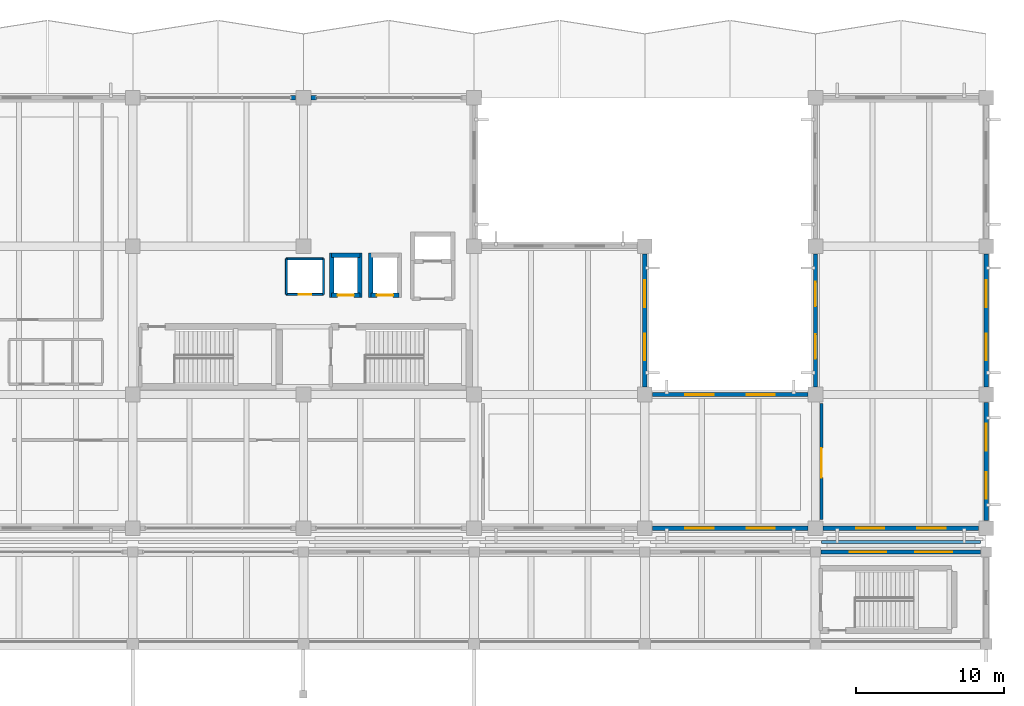
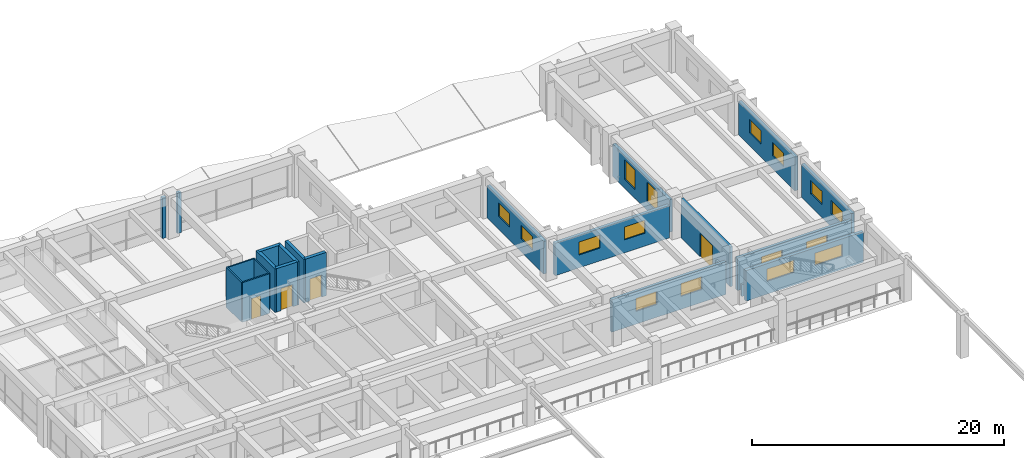
# One storey, part 80 of 98: 22 walls, 16 windows, 4 doors, 20 openings.
"""IFC4 building model written with IfcOpenShell, lengths in metres."""

from ifc_helpers import new_model, si_unit, direction, frame, frame_2d, origin, place, context, subcontext, project, spatial, rectangle, extrude, material, layer, layer_set, type_object, element, fill, save


model = new_model("IFC4")

# Units and contexts
model_context = context("Model", 3, precision=1e-05, world=origin(), true_north=direction((0.0, 1.0)))
body_context = subcontext(model_context, "Body", "Model", "MODEL_VIEW")
ifc_project = project(units=[si_unit("LENGTHUNIT", "METRE"), si_unit("AREAUNIT", "SQUARE_METRE"), si_unit("VOLUMEUNIT", "CUBIC_METRE"), si_unit("PLANEANGLEUNIT", "RADIAN"), si_unit("MASSUNIT", "GRAM", prefix="KILO")], contexts=[model_context])

# Site, building, storey
site_placement = place(None, origin())
site = spatial("IfcSite", under=ifc_project, at=site_placement, CompositionType="ELEMENT")
building_placement = place(site_placement, origin())
building = spatial("IfcBuilding", under=site, at=building_placement, Name="Ologun Quay Terminus", CompositionType="ELEMENT")
storey_placement = place(building_placement, frame((0.0, 0.0, 4.199951171875)))
storey = spatial("IfcBuildingStorey", under=building, at=storey_placement, Name="L01", CompositionType="ELEMENT", Elevation=4.199951171875)

# Wall, openings, windows
ifc_material_1 = material(Name="Concrete C40/50", Category="concrete")
ifc_layer_1 = layer(ifc_material_1, 0.280029296875)
ifc_layer_set_1 = layer_set([ifc_layer_1], Name="Concrete C40/50")
wall_type_1 = type_object("IfcWallType", Name="Courtyard Wing Spandrel Concrete Wall 280", PredefinedType="SOLIDWALL", material=ifc_layer_set_1)
wall_1_placement = place(storey_placement, frame((172.8701171875, 84.199951171875, 0.0), z_axis=(0.0, 0.0, 1.0), x_axis=(1.0, 0.0, 0.0)))
wall_1 = element("IfcWall", 1, at=wall_1_placement, inside=storey, type_object=wall_type_1, Name="EW-02 Facade Wall WEW-NGW-L01-16", PredefinedType="SOLIDWALL", context=body_context, shape_type="SweptSolid", body=[
    extrude(rectangle(XDim=10.759765625, YDim=0.280029296875, at=frame_2d((5.3798828125, 0.0))), origin(), (0.0, 0.0, 1.0), 2.949951171875),
])
opening_1_placement = place(wall_1_placement, frame((1.933349609375, 0.0, 1.25)))
opening_1 = element("IfcOpeningElement", 2, at=opening_1_placement, cuts=wall_1, Name="Opening WN-128", PredefinedType="OPENING", context=body_context, shape_type="SweptSolid", body=[
    extrude(rectangle(XDim=2.47998046875, YDim=1.179931640625, at=frame_2d((1.239990234375, 0.58984375))), frame((0.0, 0.14990234375, 0.0), z_axis=(0.0, -1.0, 0.0), x_axis=(1.0, 0.0, 0.0)), (0.0, 0.0, 1.0), 0.300048828125),
])
opening_2_placement = place(wall_1_placement, frame((6.3466796875, 0.0, 1.25)))
opening_2 = element("IfcOpeningElement", 3, at=opening_2_placement, cuts=wall_1, Name="Opening WN-129", PredefinedType="OPENING", context=body_context, shape_type="SweptSolid", body=[
    extrude(rectangle(XDim=2.47998046875, YDim=1.179931640625, at=frame_2d((1.239990234375, 0.58984375))), frame((0.0, 0.14990234375, 0.0), z_axis=(0.0, -1.0, 0.0), x_axis=(1.0, 0.0, 0.0)), (0.0, 0.0, 1.0), 0.300048828125),
])
ifc_material_2 = material(Name="Glass", Category="glass")
window_type_1 = type_object("IfcWindowType", Name="Gallery Clerestory Light 2480x1180", PartitioningType="SINGLE_PANEL", PredefinedType="LIGHTDOME", material=ifc_material_2)
window_1_placement = place(opening_1_placement, origin())
window_1 = element("IfcWindow", 4, at=window_1_placement, inside=storey, type_object=window_type_1, Name="W-44 Window WN-128", OverallHeight=1.179931640625, OverallWidth=2.47998046875, PartitioningType="SINGLE_PANEL", PredefinedType="LIGHTDOME", context=body_context, shape_type="SweptSolid", body=[
    extrude(rectangle(XDim=2.47998046875, YDim=1.179931640625, at=frame_2d((1.239990234375, 0.58984375))), frame((0.0, 0.030029296875, 0.0), z_axis=(0.0, -1.0, 0.0), x_axis=(1.0, 0.0, 0.0)), (0.0, 0.0, 1.0), 0.06005859375),
])
fill(opening_1, window_1)
window_2_placement = place(opening_2_placement, origin())
window_2 = element("IfcWindow", 5, at=window_2_placement, inside=storey, type_object=window_type_1, Name="W-44 Window WN-129", OverallHeight=1.179931640625, OverallWidth=2.47998046875, PartitioningType="SINGLE_PANEL", PredefinedType="LIGHTDOME", context=body_context, shape_type="SweptSolid", body=[
    extrude(rectangle(XDim=2.47998046875, YDim=1.179931640625, at=frame_2d((1.239990234375, 0.58984375))), frame((0.0, 0.030029296875, 0.0), z_axis=(0.0, -1.0, 0.0), x_axis=(1.0, 0.0, 0.0)), (0.0, 0.0, 1.0), 0.06005859375),
])
fill(opening_2, window_2)

wall_2_placement = place(storey_placement, frame((161.52001953125, 85.800048828125, 0.0), z_axis=(0.0, 0.0, 1.0), x_axis=(1.0, 0.0, 0.0)))
wall_2 = element("IfcWall", 6, at=wall_2_placement, inside=storey, type_object=wall_type_1, Name="EW-02 Facade Wall WEW-EW-L01-5", PredefinedType="SOLIDWALL", context=body_context, shape_type="SweptSolid", body=[
    extrude(rectangle(XDim=10.4599609375, YDim=0.280029296875, at=frame_2d((5.22998046875, 0.0))), origin(), (0.0, 0.0, 1.0), 3.150146484375),
])
opening_3_placement = place(wall_2_placement, frame((2.219970703125, 0.0, 1.25)))
opening_3 = element("IfcOpeningElement", 7, at=opening_3_placement, cuts=wall_2, Name="Opening WN-360", PredefinedType="OPENING", context=body_context, shape_type="SweptSolid", body=[
    extrude(rectangle(XDim=1.89990234375, YDim=1.25, at=frame_2d((0.949951171875, 0.625))), frame((0.0, 0.14990234375, 0.0), z_axis=(0.0, -1.0, 0.0), x_axis=(1.0, 0.0, 0.0)), (0.0, 0.0, 1.0), 0.300048828125),
])
opening_4_placement = place(wall_2_placement, frame((6.340087890625, 0.0, 1.25)))
opening_4 = element("IfcOpeningElement", 8, at=opening_4_placement, cuts=wall_2, Name="Opening WN-361", PredefinedType="OPENING", context=body_context, shape_type="SweptSolid", body=[
    extrude(rectangle(XDim=1.89990234375, YDim=1.25, at=frame_2d((0.949951171875, 0.625))), frame((0.0, 0.14990234375, 0.0), z_axis=(0.0, -1.0, 0.0), x_axis=(1.0, 0.0, 0.0)), (0.0, 0.0, 1.0), 0.300048828125),
])
ifc_material_3 = material(Name="Glass", Category="glass")
window_type_2 = type_object("IfcWindowType", Name="Signalling Equipment High Window 1900x1250", PartitioningType="SINGLE_PANEL", PredefinedType="WINDOW", material=ifc_material_3)
window_3_placement = place(opening_3_placement, origin())
window_3 = element("IfcWindow", 9, at=window_3_placement, inside=storey, type_object=window_type_2, Name="W-18 Window WN-360", OverallHeight=1.25, OverallWidth=1.89990234375, PartitioningType="SINGLE_PANEL", PredefinedType="WINDOW", context=body_context, shape_type="SweptSolid", body=[
    extrude(rectangle(XDim=1.89990234375, YDim=1.25, at=frame_2d((0.949951171875, 0.625))), frame((0.0, 0.030029296875, 0.0), z_axis=(0.0, -1.0, 0.0), x_axis=(1.0, 0.0, 0.0)), (0.0, 0.0, 1.0), 0.06005859375),
])
fill(opening_3, window_3)
window_4_placement = place(opening_4_placement, origin())
window_4 = element("IfcWindow", 10, at=window_4_placement, inside=storey, type_object=window_type_2, Name="W-18 Window WN-361", OverallHeight=1.25, OverallWidth=1.89990234375, PartitioningType="SINGLE_PANEL", PredefinedType="WINDOW", context=body_context, shape_type="SweptSolid", body=[
    extrude(rectangle(XDim=1.89990234375, YDim=1.25, at=frame_2d((0.949951171875, 0.625))), frame((0.0, 0.030029296875, 0.0), z_axis=(0.0, -1.0, 0.0), x_axis=(1.0, 0.0, 0.0)), (0.0, 0.0, 1.0), 0.06005859375),
])
fill(opening_4, window_4)

wall_3_placement = place(storey_placement, frame((173.02001953125, 85.800048828125, 0.0), z_axis=(0.0, 0.0, 1.0), x_axis=(1.0, 0.0, 0.0)))
wall_3 = element("IfcWall", 11, at=wall_3_placement, inside=storey, type_object=wall_type_1, Name="EW-02 Facade Wall WEW-EW-L01-6", PredefinedType="SOLIDWALL", context=body_context, shape_type="SweptSolid", body=[
    extrude(rectangle(XDim=10.4599609375, YDim=0.280029296875, at=frame_2d((5.22998046875, 0.0))), origin(), (0.0, 0.0, 1.0), 3.150146484375),
])
opening_5_placement = place(wall_3_placement, frame((2.219970703125, 0.0, 1.25)))
opening_5 = element("IfcOpeningElement", 12, at=opening_5_placement, cuts=wall_3, Name="Opening WN-362", PredefinedType="OPENING", context=body_context, shape_type="SweptSolid", body=[
    extrude(rectangle(XDim=1.89990234375, YDim=1.25, at=frame_2d((0.949951171875, 0.625))), frame((0.0, 0.14990234375, 0.0), z_axis=(0.0, -1.0, 0.0), x_axis=(1.0, 0.0, 0.0)), (0.0, 0.0, 1.0), 0.300048828125),
])
opening_6_placement = place(wall_3_placement, frame((6.340087890625, 0.0, 1.25)))
opening_6 = element("IfcOpeningElement", 13, at=opening_6_placement, cuts=wall_3, Name="Opening WN-363", PredefinedType="OPENING", context=body_context, shape_type="SweptSolid", body=[
    extrude(rectangle(XDim=1.89990234375, YDim=1.25, at=frame_2d((0.949951171875, 0.625))), frame((0.0, 0.14990234375, 0.0), z_axis=(0.0, -1.0, 0.0), x_axis=(1.0, 0.0, 0.0)), (0.0, 0.0, 1.0), 0.300048828125),
])
window_5_placement = place(opening_5_placement, origin())
window_5 = element("IfcWindow", 14, at=window_5_placement, inside=storey, type_object=window_type_2, Name="W-18 Window WN-362", OverallHeight=1.25, OverallWidth=1.89990234375, PartitioningType="SINGLE_PANEL", PredefinedType="WINDOW", context=body_context, shape_type="SweptSolid", body=[
    extrude(rectangle(XDim=1.89990234375, YDim=1.25, at=frame_2d((0.949951171875, 0.625))), frame((0.0, 0.030029296875, 0.0), z_axis=(0.0, -1.0, 0.0), x_axis=(1.0, 0.0, 0.0)), (0.0, 0.0, 1.0), 0.06005859375),
])
fill(opening_5, window_5)
window_6_placement = place(opening_6_placement, origin())
window_6 = element("IfcWindow", 15, at=window_6_placement, inside=storey, type_object=window_type_2, Name="W-18 Window WN-363", OverallHeight=1.25, OverallWidth=1.89990234375, PartitioningType="SINGLE_PANEL", PredefinedType="WINDOW", context=body_context, shape_type="SweptSolid", body=[
    extrude(rectangle(XDim=1.89990234375, YDim=1.25, at=frame_2d((0.949951171875, 0.625))), frame((0.0, 0.030029296875, 0.0), z_axis=(0.0, -1.0, 0.0), x_axis=(1.0, 0.0, 0.0)), (0.0, 0.0, 1.0), 0.06005859375),
])
fill(opening_6, window_6)

wall_4_placement = place(storey_placement, frame((184.0, 86.320068359375, 0.0), z_axis=(0.0, 0.0, 1.0), x_axis=(0.0, 1.0, 0.0)))
wall_4 = element("IfcWall", 16, at=wall_4_placement, inside=storey, type_object=wall_type_1, Name="EW-02 Facade Wall WEW-EW-L01-7", PredefinedType="SOLIDWALL", context=body_context, shape_type="SweptSolid", body=[
    extrude(rectangle(XDim=7.9599609375, YDim=0.280029296875, at=frame_2d((3.97998046875, 0.0))), origin(), (0.0, 0.0, 1.0), 3.25),
])
opening_7_placement = place(wall_4_placement, frame((1.453369140625, 0.0, 1.25)))
opening_7 = element("IfcOpeningElement", 17, at=opening_7_placement, cuts=wall_4, Name="Opening WN-364", PredefinedType="OPENING", context=body_context, shape_type="SweptSolid", body=[
    extrude(rectangle(XDim=1.800048828125, YDim=1.300048828125, at=frame_2d((0.89990234375, 0.64990234375))), frame((0.0, 0.14990234375, 0.0), z_axis=(0.0, -1.0, 0.0), x_axis=(1.0, 0.0, 0.0)), (0.0, 0.0, 1.0), 0.300048828125),
])
opening_8_placement = place(wall_4_placement, frame((4.706787109375, 0.0, 1.25)))
opening_8 = element("IfcOpeningElement", 18, at=opening_8_placement, cuts=wall_4, Name="Opening WN-365", PredefinedType="OPENING", context=body_context, shape_type="SweptSolid", body=[
    extrude(rectangle(XDim=1.800048828125, YDim=1.300048828125, at=frame_2d((0.89990234375, 0.64990234375))), frame((0.0, 0.14990234375, 0.0), z_axis=(0.0, -1.0, 0.0), x_axis=(1.0, 0.0, 0.0)), (0.0, 0.0, 1.0), 0.300048828125),
])
ifc_material_4 = material(Name="Glass", Category="glass")
window_type_3 = type_object("IfcWindowType", Name="Plant Louvred Acoustic Window 1800x1300", PartitioningType="SINGLE_PANEL", PredefinedType="WINDOW", material=ifc_material_4)
window_7_placement = place(opening_7_placement, origin())
window_7 = element("IfcWindow", 19, at=window_7_placement, inside=storey, type_object=window_type_3, Name="W-38 Window WN-364", OverallHeight=1.300048828125, OverallWidth=1.800048828125, PartitioningType="SINGLE_PANEL", PredefinedType="WINDOW", context=body_context, shape_type="SweptSolid", body=[
    extrude(rectangle(XDim=1.800048828125, YDim=1.300048828125, at=frame_2d((0.89990234375, 0.64990234375))), frame((0.0, 0.030029296875, 0.0), z_axis=(0.0, -1.0, 0.0), x_axis=(1.0, 0.0, 0.0)), (0.0, 0.0, 1.0), 0.06005859375),
])
fill(opening_7, window_7)
window_8_placement = place(opening_8_placement, origin())
window_8 = element("IfcWindow", 20, at=window_8_placement, inside=storey, type_object=window_type_3, Name="W-38 Window WN-365", OverallHeight=1.300048828125, OverallWidth=1.800048828125, PartitioningType="SINGLE_PANEL", PredefinedType="WINDOW", context=body_context, shape_type="SweptSolid", body=[
    extrude(rectangle(XDim=1.800048828125, YDim=1.300048828125, at=frame_2d((0.89990234375, 0.64990234375))), frame((0.0, 0.030029296875, 0.0), z_axis=(0.0, -1.0, 0.0), x_axis=(1.0, 0.0, 0.0)), (0.0, 0.0, 1.0), 0.06005859375),
])
fill(opening_8, window_8)

wall_5_placement = place(storey_placement, frame((184.0, 95.320068359375, 0.0), z_axis=(0.0, 0.0, 1.0), x_axis=(0.0, 1.0, 0.0)))
wall_5 = element("IfcWall", 21, at=wall_5_placement, inside=storey, type_object=wall_type_1, Name="EW-02 Facade Wall WEW-EW-L01-8", PredefinedType="SOLIDWALL", context=body_context, shape_type="SweptSolid", body=[
    extrude(rectangle(XDim=8.9599609375, YDim=0.280029296875, at=frame_2d((4.47998046875, 0.0))), origin(), (0.0, 0.0, 1.0), 3.25),
])
opening_9_placement = place(wall_5_placement, frame((1.78662109375, 0.0, 1.25)))
opening_9 = element("IfcOpeningElement", 22, at=opening_9_placement, cuts=wall_5, Name="Opening WN-366", PredefinedType="OPENING", context=body_context, shape_type="SweptSolid", body=[
    extrude(rectangle(XDim=1.800048828125, YDim=1.300048828125, at=frame_2d((0.89990234375, 0.64990234375))), frame((0.0, 0.14990234375, 0.0), z_axis=(0.0, -1.0, 0.0), x_axis=(1.0, 0.0, 0.0)), (0.0, 0.0, 1.0), 0.300048828125),
])
opening_10_placement = place(wall_5_placement, frame((5.373291015625, 0.0, 1.25)))
opening_10 = element("IfcOpeningElement", 23, at=opening_10_placement, cuts=wall_5, Name="Opening WN-367", PredefinedType="OPENING", context=body_context, shape_type="SweptSolid", body=[
    extrude(rectangle(XDim=1.800048828125, YDim=1.300048828125, at=frame_2d((0.89990234375, 0.64990234375))), frame((0.0, 0.14990234375, 0.0), z_axis=(0.0, -1.0, 0.0), x_axis=(1.0, 0.0, 0.0)), (0.0, 0.0, 1.0), 0.300048828125),
])
window_9_placement = place(opening_9_placement, origin())
window_9 = element("IfcWindow", 24, at=window_9_placement, inside=storey, type_object=window_type_3, Name="W-38 Window WN-366", OverallHeight=1.300048828125, OverallWidth=1.800048828125, PartitioningType="SINGLE_PANEL", PredefinedType="WINDOW", context=body_context, shape_type="SweptSolid", body=[
    extrude(rectangle(XDim=1.800048828125, YDim=1.300048828125, at=frame_2d((0.89990234375, 0.64990234375))), frame((0.0, 0.030029296875, 0.0), z_axis=(0.0, -1.0, 0.0), x_axis=(1.0, 0.0, 0.0)), (0.0, 0.0, 1.0), 0.06005859375),
])
fill(opening_9, window_9)
window_10_placement = place(opening_10_placement, origin())
window_10 = element("IfcWindow", 25, at=window_10_placement, inside=storey, type_object=window_type_3, Name="W-38 Window WN-367", OverallHeight=1.300048828125, OverallWidth=1.800048828125, PartitioningType="SINGLE_PANEL", PredefinedType="WINDOW", context=body_context, shape_type="SweptSolid", body=[
    extrude(rectangle(XDim=1.800048828125, YDim=1.300048828125, at=frame_2d((0.89990234375, 0.64990234375))), frame((0.0, 0.030029296875, 0.0), z_axis=(0.0, -1.0, 0.0), x_axis=(1.0, 0.0, 0.0)), (0.0, 0.0, 1.0), 0.06005859375),
])
fill(opening_10, window_10)

wall_6_placement = place(storey_placement, frame((172.5, 95.320068359375, 0.0), z_axis=(0.0, 0.0, 1.0), x_axis=(0.0, 1.0, 0.0)))
wall_6 = element("IfcWall", 26, at=wall_6_placement, inside=storey, type_object=wall_type_1, Name="EW-02 Facade Wall WEW-EW-L01-11", PredefinedType="SOLIDWALL", context=body_context, shape_type="SweptSolid", body=[
    extrude(rectangle(XDim=8.9599609375, YDim=0.280029296875, at=frame_2d((4.47998046875, 0.0))), origin(), (0.0, 0.0, 1.0), 3.150146484375),
])
opening_11_placement = place(wall_6_placement, frame((1.88671875, 0.0, 0.85009765625)))
opening_11 = element("IfcOpeningElement", 27, at=opening_11_placement, cuts=wall_6, Name="Opening WN-372", PredefinedType="OPENING", context=body_context, shape_type="SweptSolid", body=[
    extrude(rectangle(XDim=1.64990234375, YDim=1.89990234375, at=frame_2d((0.824951171875, 0.949951171875))), frame((0.0, 0.14990234375, 0.0), z_axis=(0.0, -1.0, 0.0), x_axis=(1.0, 0.0, 0.0)), (0.0, 0.0, 1.0), 0.300048828125),
])
opening_12_placement = place(wall_6_placement, frame((5.42333984375, 0.0, 0.85009765625)))
opening_12 = element("IfcOpeningElement", 28, at=opening_12_placement, cuts=wall_6, Name="Opening WN-373", PredefinedType="OPENING", context=body_context, shape_type="SweptSolid", body=[
    extrude(rectangle(XDim=1.64990234375, YDim=1.89990234375, at=frame_2d((0.824951171875, 0.949951171875))), frame((0.0, 0.14990234375, 0.0), z_axis=(0.0, -1.0, 0.0), x_axis=(1.0, 0.0, 0.0)), (0.0, 0.0, 1.0), 0.300048828125),
])
ifc_material_5 = material(Name="Glass", Category="glass")
window_type_4 = type_object("IfcWindowType", Name="Operations Admin Solar Window 1650x1900", PartitioningType="SINGLE_PANEL", PredefinedType="WINDOW", material=ifc_material_5)
window_11_placement = place(opening_11_placement, origin())
window_11 = element("IfcWindow", 29, at=window_11_placement, inside=storey, type_object=window_type_4, Name="W-21 Window WN-372", OverallHeight=1.89990234375, OverallWidth=1.64990234375, PartitioningType="SINGLE_PANEL", PredefinedType="WINDOW", context=body_context, shape_type="SweptSolid", body=[
    extrude(rectangle(XDim=1.64990234375, YDim=1.89990234375, at=frame_2d((0.824951171875, 0.949951171875))), frame((0.0, 0.030029296875, 0.0), z_axis=(0.0, -1.0, 0.0), x_axis=(1.0, 0.0, 0.0)), (0.0, 0.0, 1.0), 0.06005859375),
])
fill(opening_11, window_11)
window_12_placement = place(opening_12_placement, origin())
window_12 = element("IfcWindow", 30, at=window_12_placement, inside=storey, type_object=window_type_4, Name="W-21 Window WN-373", OverallHeight=1.89990234375, OverallWidth=1.64990234375, PartitioningType="SINGLE_PANEL", PredefinedType="WINDOW", context=body_context, shape_type="SweptSolid", body=[
    extrude(rectangle(XDim=1.64990234375, YDim=1.89990234375, at=frame_2d((0.824951171875, 0.949951171875))), frame((0.0, 0.030029296875, 0.0), z_axis=(0.0, -1.0, 0.0), x_axis=(1.0, 0.0, 0.0)), (0.0, 0.0, 1.0), 0.06005859375),
])
fill(opening_12, window_12)

wall_7_placement = place(storey_placement, frame((161.52001953125, 94.800048828125, 0.0), z_axis=(0.0, 0.0, 1.0), x_axis=(1.0, 0.0, 0.0)))
wall_7 = element("IfcWall", 31, at=wall_7_placement, inside=storey, type_object=wall_type_1, Name="EW-02 Facade Wall WEW-EW-L01-13", PredefinedType="SOLIDWALL", context=body_context, shape_type="SweptSolid", body=[
    extrude(rectangle(XDim=10.4599609375, YDim=0.280029296875, at=frame_2d((5.22998046875, 0.0))), origin(), (0.0, 0.0, 1.0), 3.150146484375),
])
opening_13_placement = place(wall_7_placement, frame((2.219970703125, 0.0, 1.25)))
opening_13 = element("IfcOpeningElement", 32, at=opening_13_placement, cuts=wall_7, Name="Opening WN-376", PredefinedType="OPENING", context=body_context, shape_type="SweptSolid", body=[
    extrude(rectangle(XDim=1.89990234375, YDim=1.25, at=frame_2d((0.949951171875, 0.625))), frame((0.0, 0.14990234375, 0.0), z_axis=(0.0, -1.0, 0.0), x_axis=(1.0, 0.0, 0.0)), (0.0, 0.0, 1.0), 0.300048828125),
])
opening_14_placement = place(wall_7_placement, frame((6.340087890625, 0.0, 1.25)))
opening_14 = element("IfcOpeningElement", 33, at=opening_14_placement, cuts=wall_7, Name="Opening WN-377", PredefinedType="OPENING", context=body_context, shape_type="SweptSolid", body=[
    extrude(rectangle(XDim=1.89990234375, YDim=1.25, at=frame_2d((0.949951171875, 0.625))), frame((0.0, 0.14990234375, 0.0), z_axis=(0.0, -1.0, 0.0), x_axis=(1.0, 0.0, 0.0)), (0.0, 0.0, 1.0), 0.300048828125),
])
window_13_placement = place(opening_13_placement, origin())
window_13 = element("IfcWindow", 34, at=window_13_placement, inside=storey, type_object=window_type_2, Name="W-18 Window WN-376", OverallHeight=1.25, OverallWidth=1.89990234375, PartitioningType="SINGLE_PANEL", PredefinedType="WINDOW", context=body_context, shape_type="SweptSolid", body=[
    extrude(rectangle(XDim=1.89990234375, YDim=1.25, at=frame_2d((0.949951171875, 0.625))), frame((0.0, 0.030029296875, 0.0), z_axis=(0.0, -1.0, 0.0), x_axis=(1.0, 0.0, 0.0)), (0.0, 0.0, 1.0), 0.06005859375),
])
fill(opening_13, window_13)
window_14_placement = place(opening_14_placement, origin())
window_14 = element("IfcWindow", 35, at=window_14_placement, inside=storey, type_object=window_type_2, Name="W-18 Window WN-377", OverallHeight=1.25, OverallWidth=1.89990234375, PartitioningType="SINGLE_PANEL", PredefinedType="WINDOW", context=body_context, shape_type="SweptSolid", body=[
    extrude(rectangle(XDim=1.89990234375, YDim=1.25, at=frame_2d((0.949951171875, 0.625))), frame((0.0, 0.030029296875, 0.0), z_axis=(0.0, -1.0, 0.0), x_axis=(1.0, 0.0, 0.0)), (0.0, 0.0, 1.0), 0.06005859375),
])
fill(opening_14, window_14)

wall_8_placement = place(storey_placement, frame((161.0, 95.320068359375, 0.0), z_axis=(0.0, 0.0, 1.0), x_axis=(0.0, 1.0, 0.0)))
wall_8 = element("IfcWall", 36, at=wall_8_placement, inside=storey, type_object=wall_type_1, Name="EW-02 Facade Wall WEW-EW-L01-14", PredefinedType="SOLIDWALL", context=body_context, shape_type="SweptSolid", body=[
    extrude(rectangle(XDim=8.9599609375, YDim=0.280029296875, at=frame_2d((4.47998046875, 0.0))), origin(), (0.0, 0.0, 1.0), 3.150146484375),
])
opening_15_placement = place(wall_8_placement, frame((1.78662109375, 0.0, 1.25)))
opening_15 = element("IfcOpeningElement", 37, at=opening_15_placement, cuts=wall_8, Name="Opening WN-378", PredefinedType="OPENING", context=body_context, shape_type="SweptSolid", body=[
    extrude(rectangle(XDim=1.800048828125, YDim=1.300048828125, at=frame_2d((0.89990234375, 0.64990234375))), frame((0.0, 0.14990234375, 0.0), z_axis=(0.0, -1.0, 0.0), x_axis=(1.0, 0.0, 0.0)), (0.0, 0.0, 1.0), 0.300048828125),
])
opening_16_placement = place(wall_8_placement, frame((5.373291015625, 0.0, 1.25)))
opening_16 = element("IfcOpeningElement", 38, at=opening_16_placement, cuts=wall_8, Name="Opening WN-379", PredefinedType="OPENING", context=body_context, shape_type="SweptSolid", body=[
    extrude(rectangle(XDim=1.800048828125, YDim=1.300048828125, at=frame_2d((0.89990234375, 0.64990234375))), frame((0.0, 0.14990234375, 0.0), z_axis=(0.0, -1.0, 0.0), x_axis=(1.0, 0.0, 0.0)), (0.0, 0.0, 1.0), 0.300048828125),
])
window_15_placement = place(opening_15_placement, origin())
window_15 = element("IfcWindow", 39, at=window_15_placement, inside=storey, type_object=window_type_3, Name="W-38 Window WN-378", OverallHeight=1.300048828125, OverallWidth=1.800048828125, PartitioningType="SINGLE_PANEL", PredefinedType="WINDOW", context=body_context, shape_type="SweptSolid", body=[
    extrude(rectangle(XDim=1.800048828125, YDim=1.300048828125, at=frame_2d((0.89990234375, 0.64990234375))), frame((0.0, 0.030029296875, 0.0), z_axis=(0.0, -1.0, 0.0), x_axis=(1.0, 0.0, 0.0)), (0.0, 0.0, 1.0), 0.06005859375),
])
fill(opening_15, window_15)
window_16_placement = place(opening_16_placement, origin())
window_16 = element("IfcWindow", 40, at=window_16_placement, inside=storey, type_object=window_type_3, Name="W-38 Window WN-379", OverallHeight=1.300048828125, OverallWidth=1.800048828125, PartitioningType="SINGLE_PANEL", PredefinedType="WINDOW", context=body_context, shape_type="SweptSolid", body=[
    extrude(rectangle(XDim=1.800048828125, YDim=1.300048828125, at=frame_2d((0.89990234375, 0.64990234375))), frame((0.0, 0.030029296875, 0.0), z_axis=(0.0, -1.0, 0.0), x_axis=(1.0, 0.0, 0.0)), (0.0, 0.0, 1.0), 0.06005859375),
])
fill(opening_16, window_16)

# Walls
for number, where, z_axis, x_axis, name in (
    (41, (137.1298828125, 114.800048828125, 0.0), (0.0, 0.0, 1.0), (1.0, 0.0, 0.0), "Curtain Wall Jamb Pier CW-L01-126-J2"),
    (42, (138.52001953125, 114.800048828125, 0.0), (0.0, 0.0, 1.0), (1.0, 0.0, 0.0), "Curtain Wall Jamb Pier CW-L01-127-J1"),
):
    element("IfcWall", number, at=place(storey_placement, frame(where, z_axis=z_axis, x_axis=x_axis)), inside=storey, type_object=wall_type_1, Name=name, PredefinedType="SOLIDWALL", context=body_context, shape_type="SweptSolid", body=[
        extrude(rectangle(XDim=0.35009765625, YDim=0.280029296875, at=frame_2d((0.175048828125, 0.0))), origin(), (0.0, 0.0, 1.0), 3.929931640625),
    ])

# Wall, opening, door
ifc_material_6 = material(Name="Concrete C40/50", Category="concrete")
ifc_layer_2 = layer(ifc_material_6, 0.300048828125)
ifc_layer_set_2 = layer_set([ifc_layer_2], Name="Concrete C40/50")
wall_type_2 = type_object("IfcWallType", Name="Lift Shaft Structural Shear Wall 300", PredefinedType="SHEAR", material=ifc_layer_set_2)
wall_9_placement = place(storey_placement, frame((139.89990234375, 101.5, 0.0), z_axis=(0.0, 0.0, 1.0), x_axis=(1.0, 0.0, 0.0)))
wall_9 = element("IfcWall", 43, at=wall_9_placement, inside=storey, type_object=wall_type_2, Name="Lift PL-E1 Shaft Wall S L01", PredefinedType="SHEAR", context=body_context, shape_type="SweptSolid", body=[
    extrude(rectangle(XDim=1.900146484375, YDim=0.300048828125, at=frame_2d((0.9501953125, 0.0))), origin(), (0.0, 0.0, 1.0), 4.199951171875),
])
opening_17_placement = place(wall_9_placement, frame((0.39990234375, 0.0, 0.0)))
opening_17 = element("IfcOpeningElement", 44, at=opening_17_placement, cuts=wall_9, Name="Opening ID-033", PredefinedType="OPENING", context=body_context, shape_type="SweptSolid", body=[
    extrude(rectangle(XDim=1.10009765625, YDim=2.14990234375, at=frame_2d((0.550048828125, 1.074951171875))), frame((0.0, 0.16015625, 0.0), z_axis=(0.0, -1.0, 0.0), x_axis=(1.0, 0.0, 0.0)), (0.0, 0.0, 1.0), 0.320068359375),
])
ifc_material_7 = material(Name="Steel S355", Category="steel")
door_type_1 = type_object("IfcDoorType", Name="Lift Landing Sliding Door 1100x2150", OperationType="SLIDING_TO_LEFT", PredefinedType="DOOR", material=ifc_material_7)
door_1_placement = place(opening_17_placement, origin())
door_1 = element("IfcDoor", 45, at=door_1_placement, inside=storey, type_object=door_type_1, Name="LD-01 Door ID-033", OperationType="SLIDING_TO_LEFT", OverallHeight=2.14990234375, OverallWidth=1.10009765625, PredefinedType="DOOR", context=body_context, shape_type="SweptSolid", body=[
    extrude(rectangle(XDim=1.10009765625, YDim=2.14990234375, at=frame_2d((0.550048828125, 1.074951171875))), frame((0.0, 0.02490234375, 0.0), z_axis=(0.0, -1.0, 0.0), x_axis=(1.0, 0.0, 0.0)), (0.0, 0.0, 1.0), 0.050048828125),
])
fill(opening_17, door_1)

# Walls
wall_10_placement = place(storey_placement, frame((139.89990234375, 104.199951171875, 0.0), z_axis=(0.0, 0.0, 1.0), x_axis=(1.0, 0.0, 0.0)))
element("IfcWall", 46, at=wall_10_placement, inside=storey, type_object=wall_type_2, Name="Lift PL-E1 Shaft Wall N L01", PredefinedType="SHEAR", context=body_context, shape_type="SweptSolid", body=[
    extrude(rectangle(XDim=1.900146484375, YDim=0.300048828125, at=frame_2d((0.9501953125, 0.0))), origin(), (0.0, 0.0, 1.0), 4.199951171875),
])
for number, where, z_axis, x_axis, name in (
    (47, (139.89990234375, 101.35009765625, 0.0), (0.0, 0.0, 1.0), (0.0, 1.0, 0.0), "Lift PL-E1 Shaft Wall W L01"),
    (48, (141.800048828125, 101.35009765625, 0.0), (0.0, 0.0, 1.0), (0.0, 1.0, 0.0), "Lift PL-E1 Shaft Wall E L01"),
):
    element("IfcWall", number, at=place(storey_placement, frame(where, z_axis=z_axis, x_axis=x_axis)), inside=storey, type_object=wall_type_2, Name=name, PredefinedType="SHEAR", context=body_context, shape_type="SweptSolid", body=[
        extrude(rectangle(XDim=3.0, YDim=0.300048828125, at=frame_2d((1.5, 0.0))), origin(), (0.0, 0.0, 1.0), 4.199951171875),
    ])

# Wall, opening, door
wall_11_placement = place(storey_placement, frame((142.550048828125, 101.5, 0.0), z_axis=(0.0, 0.0, 1.0), x_axis=(1.0, 0.0, 0.0)))
wall_11 = element("IfcWall", 49, at=wall_11_placement, inside=storey, type_object=wall_type_2, Name="Lift PL-E2 Shaft Wall S L01", PredefinedType="SHEAR", context=body_context, shape_type="SweptSolid", body=[
    extrude(rectangle(XDim=1.89990234375, YDim=0.300048828125, at=frame_2d((0.949951171875, 0.0))), origin(), (0.0, 0.0, 1.0), 4.199951171875),
])
opening_18_placement = place(wall_11_placement, frame((0.39990234375, 0.0, 0.0)))
opening_18 = element("IfcOpeningElement", 50, at=opening_18_placement, cuts=wall_11, Name="Opening ID-041", PredefinedType="OPENING", context=body_context, shape_type="SweptSolid", body=[
    extrude(rectangle(XDim=1.10009765625, YDim=2.14990234375, at=frame_2d((0.550048828125, 1.074951171875))), frame((0.0, 0.16015625, 0.0), z_axis=(0.0, -1.0, 0.0), x_axis=(1.0, 0.0, 0.0)), (0.0, 0.0, 1.0), 0.320068359375),
])
door_2_placement = place(opening_18_placement, origin())
door_2 = element("IfcDoor", 51, at=door_2_placement, inside=storey, type_object=door_type_1, Name="LD-01 Door ID-041", OperationType="SLIDING_TO_LEFT", OverallHeight=2.14990234375, OverallWidth=1.10009765625, PredefinedType="DOOR", context=body_context, shape_type="SweptSolid", body=[
    extrude(rectangle(XDim=1.10009765625, YDim=2.14990234375, at=frame_2d((0.550048828125, 1.074951171875))), frame((0.0, 0.02490234375, 0.0), z_axis=(0.0, -1.0, 0.0), x_axis=(1.0, 0.0, 0.0)), (0.0, 0.0, 1.0), 0.050048828125),
])
fill(opening_18, door_2)

# Walls
wall_12_placement = place(storey_placement, frame((142.550048828125, 101.35009765625, 0.0), z_axis=(0.0, 0.0, 1.0), x_axis=(0.0, 1.0, 0.0)))
element("IfcWall", 52, at=wall_12_placement, inside=storey, type_object=wall_type_2, Name="Lift PL-E2 Shaft Wall W L01", PredefinedType="SHEAR", context=body_context, shape_type="SweptSolid", body=[
    extrude(rectangle(XDim=3.0, YDim=0.300048828125, at=frame_2d((1.5, 0.0))), origin(), (0.0, 0.0, 1.0), 4.199951171875),
])
ifc_material_8 = material(Name="Concrete C40/50", Category="concrete")
ifc_layer_3 = layer(ifc_material_8, 0.18994140625)
ifc_layer_set_3 = layer_set([ifc_layer_3], Name="Concrete C40/50")
wall_type_3 = type_object("IfcWallType", Name="Movement Joint Weathering Upstand 190", PredefinedType="PARAPET", material=ifc_layer_set_3)
wall_13_placement = place(storey_placement, frame((172.89990234375, 84.860107421875, 0.0), z_axis=(0.0, 0.0, 1.0), x_axis=(1.0, 0.0, 0.0)))
element("IfcWall", 53, at=wall_13_placement, inside=storey, type_object=wall_type_3, Name="EW-07 Movement Joint Upstand L01-16", PredefinedType="PARAPET", context=body_context, shape_type="SweptSolid", body=[
    extrude(rectangle(XDim=10.7001953125, YDim=0.18994140625, at=frame_2d((5.35009765625, 0.0))), origin(), (0.0, 0.0, 1.0), 1.150146484375),
])

# Wall, opening, door
ifc_material_9 = material(Name="Concrete C40/50", Category="concrete")
ifc_layer_4 = layer(ifc_material_9, 0.219970703125)
ifc_layer_set_4 = layer_set([ifc_layer_4], Name="Concrete C40/50")
wall_type_4 = type_object("IfcWallType", Name="Plant & Substation Acoustic Wall 220", PredefinedType="SOLIDWALL", material=ifc_layer_set_4)
wall_14_placement = place(storey_placement, frame((172.89990234375, 86.39990234375, 0.0), z_axis=(0.0, 0.0, 1.0), x_axis=(0.0, 1.0, 0.0)))
wall_14 = element("IfcWall", 54, at=wall_14_placement, inside=storey, type_object=wall_type_4, Name="PW-08 Partition L01-SigPlant-W", PredefinedType="SOLIDWALL", context=body_context, shape_type="SweptSolid", body=[
    extrude(rectangle(XDim=7.800048828125, YDim=0.219970703125, at=frame_2d((3.89990234375, 0.0))), origin(), (0.0, 0.0, 1.0), 3.840087890625),
])
opening_19_placement = place(wall_14_placement, frame((2.800048828125, 0.0, 0.0)))
opening_19 = element("IfcOpeningElement", 55, at=opening_19_placement, cuts=wall_14, Name="Opening ID-312", PredefinedType="OPENING", context=body_context, shape_type="SweptSolid", body=[
    extrude(rectangle(XDim=2.0, YDim=2.300048828125, at=frame_2d((1.0, 1.14990234375))), frame((0.0, 0.1201171875, 0.0), z_axis=(0.0, -1.0, 0.0), x_axis=(1.0, 0.0, 0.0)), (0.0, 0.0, 1.0), 0.239990234375),
])
ifc_material_10 = material(Name="Steel S355", Category="steel")
door_type_2 = type_object("IfcDoorType", Name="Plant Room Heavy Fire Pair 2000x2300", OperationType="DOUBLE_DOOR_SINGLE_SWING", PredefinedType="DOOR", material=ifc_material_10)
door_3_placement = place(opening_19_placement, origin())
door_3 = element("IfcDoor", 56, at=door_3_placement, inside=storey, type_object=door_type_2, Name="FD-04 Door ID-312", OperationType="DOUBLE_DOOR_SINGLE_SWING", OverallHeight=2.300048828125, OverallWidth=2.0, PredefinedType="DOOR", context=body_context, shape_type="SweptSolid", body=[
    extrude(rectangle(XDim=2.0, YDim=2.300048828125, at=frame_2d((1.0, 1.14990234375))), frame((0.0, 0.02490234375, 0.0), z_axis=(0.0, -1.0, 0.0), x_axis=(1.0, 0.0, 0.0)), (0.0, 0.0, 1.0), 0.050048828125),
])
fill(opening_19, door_3)

ifc_material_11 = material(Name="Concrete C40/50", Category="concrete")
ifc_layer_5 = layer(ifc_material_11, 0.1298828125)
ifc_layer_set_5 = layer_set([ifc_layer_5], Name="Concrete C40/50")
wall_type_5 = type_object("IfcWallType", Name="Riser & Service Duct Wall 130", PredefinedType="PLUMBINGWALL", material=ifc_layer_set_5)
wall_15_placement = place(storey_placement, frame((136.85009765625, 101.550048828125, 0.0), z_axis=(0.0, 0.0, 1.0), x_axis=(1.0, 0.0, 0.0)))
wall_15 = element("IfcWall", 57, at=wall_15_placement, inside=storey, type_object=wall_type_5, Name="PW-07 Partition ERiser-S", PredefinedType="PLUMBINGWALL", context=body_context, shape_type="SweptSolid", body=[
    extrude(rectangle(XDim=2.5, YDim=0.1298828125, at=frame_2d((1.25, 0.0))), origin(), (0.0, 0.0, 1.0), 3.840087890625),
])
opening_20_placement = place(wall_15_placement, frame((0.820068359375, 0.0, 0.0)))
opening_20 = element("IfcOpeningElement", 58, at=opening_20_placement, cuts=wall_15, Name="Opening ID-181", PredefinedType="OPENING", context=body_context, shape_type="SweptSolid", body=[
    extrude(rectangle(XDim=0.85009765625, YDim=2.0, at=frame_2d((0.425048828125, 1.0))), frame((0.0, 0.074951171875, 0.0), z_axis=(0.0, -1.0, 0.0), x_axis=(1.0, 0.0, 0.0)), (0.0, 0.0, 1.0), 0.14990234375),
])
ifc_material_12 = material(Name="Steel S355", Category="steel")
door_type_3 = type_object("IfcDoorType", Name="MEP Riser Access Trapdoor 850x2000", OperationType="SINGLE_SWING_LEFT", PredefinedType="TRAPDOOR", material=ifc_material_12)
door_4_placement = place(opening_20_placement, origin())
door_4 = element("IfcDoor", 59, at=door_4_placement, inside=storey, type_object=door_type_3, Name="RD-01 Door ID-181", OperationType="SINGLE_SWING_LEFT", OverallHeight=2.0, OverallWidth=0.85009765625, PredefinedType="TRAPDOOR", context=body_context, shape_type="SweptSolid", body=[
    extrude(rectangle(XDim=0.85009765625, YDim=2.0, at=frame_2d((0.425048828125, 1.0))), frame((0.0, 0.02490234375, 0.0), z_axis=(0.0, -1.0, 0.0), x_axis=(1.0, 0.0, 0.0)), (0.0, 0.0, 1.0), 0.050048828125),
])
fill(opening_20, door_4)

# Walls
for number, where, z_axis, x_axis, name in (
    (60, (136.85009765625, 101.550048828125, 0.0), (0.0, 0.0, 1.0), (0.0, 1.0, 0.0), "PW-07 Partition ERiser-W"),
    (61, (139.35009765625, 101.550048828125, 0.0), (0.0, 0.0, 1.0), (0.0, 1.0, 0.0), "PW-07 Partition ERiser-E"),
):
    element("IfcWall", number, at=place(storey_placement, frame(where, z_axis=z_axis, x_axis=x_axis)), inside=storey, type_object=wall_type_5, Name=name, PredefinedType="PLUMBINGWALL", context=body_context, shape_type="SweptSolid", body=[
        extrude(rectangle(XDim=2.39990234375, YDim=0.1298828125, at=frame_2d((1.199951171875, 0.0))), origin(), (0.0, 0.0, 1.0), 3.840087890625),
    ])
wall_16_placement = place(storey_placement, frame((136.85009765625, 103.949951171875, 0.0), z_axis=(0.0, 0.0, 1.0), x_axis=(1.0, 0.0, 0.0)))
element("IfcWall", 62, at=wall_16_placement, inside=storey, type_object=wall_type_5, Name="PW-07 Partition ERiser-N", PredefinedType="PLUMBINGWALL", context=body_context, shape_type="SweptSolid", body=[
    extrude(rectangle(XDim=2.5, YDim=0.1298828125, at=frame_2d((1.25, 0.0))), origin(), (0.0, 0.0, 1.0), 3.840087890625),
])

save(model, "model.ifc")
